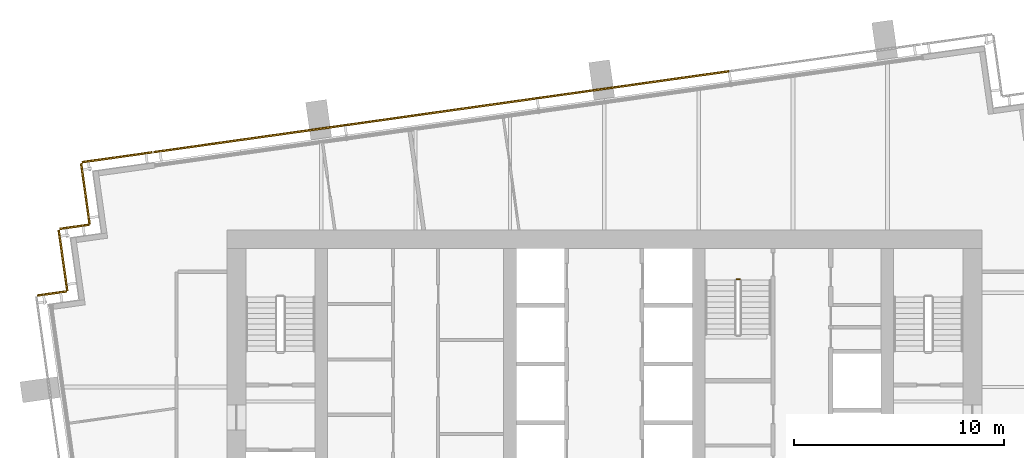
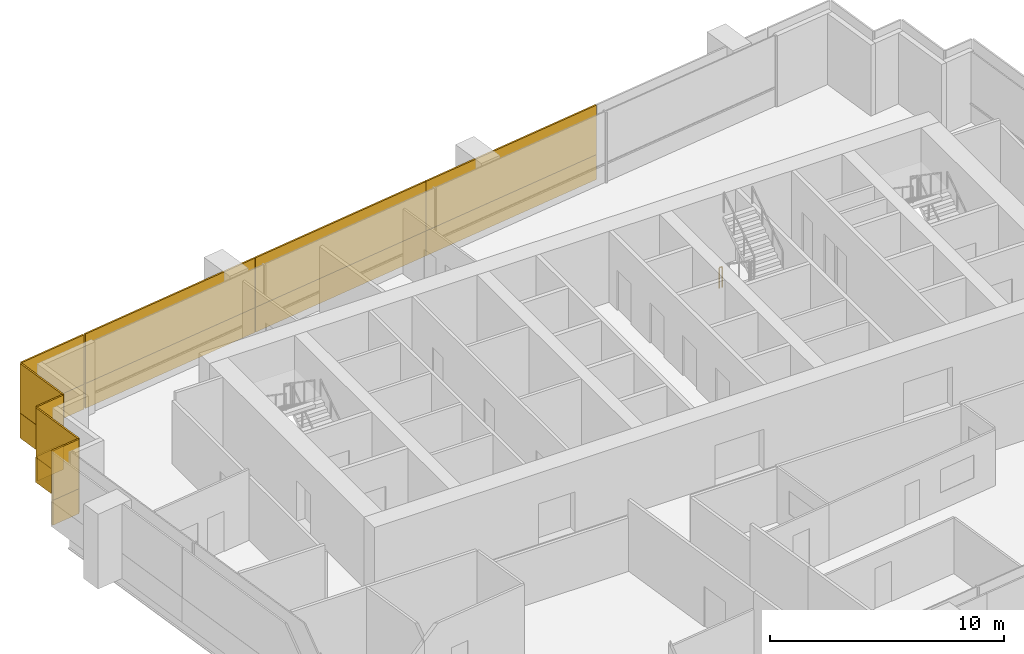
# One storey, part 14 of 15: 16 coverings, 1 railing.
"""IFC4 building model written with IfcOpenShell, lengths in metres."""

from ifc_helpers import new_model, si_unit, direction, frame, origin, origin_2d, place, context, subcontext, project, spatial, rectangle, extrude, material, layer, layer_set, type_object, element, save


model = new_model("IFC4")

# Units and contexts
model_context = context("Model", 3, precision=1e-05, world=origin(), true_north=direction((0.0, 1.0)))
body_context = subcontext(model_context, "Body", "Model", "MODEL_VIEW")
ifc_project = project(units=[si_unit("LENGTHUNIT", "METRE"), si_unit("AREAUNIT", "SQUARE_METRE"), si_unit("VOLUMEUNIT", "CUBIC_METRE"), si_unit("PLANEANGLEUNIT", "RADIAN"), si_unit("MASSUNIT", "GRAM", prefix="KILO")], contexts=[model_context])

# Site, building, storey
site_placement = place(None, origin())
site = spatial("IfcSite", under=ifc_project, at=site_placement, CompositionType="ELEMENT")
building_placement = place(site_placement, origin())
building = spatial("IfcBuilding", under=site, at=building_placement, Name="Rattan Terrace Tower", CompositionType="ELEMENT")
storey_placement = place(building_placement, frame((0.0, 0.0, 262.89990234375)))
storey = spatial("IfcBuildingStorey", under=building, at=storey_placement, Name="L60", CompositionType="ELEMENT", Elevation=262.89990234375)

# Railing
ifc_material_1 = material(Name="Powder-coated steel guard", Category="steel")
railing_type = type_object("IfcRailingType", Name="Core stair guard", PredefinedType="GUARDRAIL", material=ifc_material_1)
railing_placement = place(storey_placement, frame((6.300048828125, 5.14990234375, 0.0)))
element("IfcRailing", 1, at=railing_placement, inside=storey, type_object=railing_type, Name="L60 S3 stair guard 4", PredefinedType="GUARDRAIL", context=body_context, shape_type="SweptSolid", body=[
    extrude(rectangle(XDim=0.048095703125, YDim=0.048095703125, at=origin_2d()), frame((0.0, 0.0, 1.076171875), z_axis=(1.0, 0.0, 0.0), x_axis=(0.0, 1.0, 0.0)), (0.0, 0.0, 1.0), 0.14990234375),
    extrude(rectangle(XDim=0.0419921875, YDim=0.0419921875, at=origin_2d()), origin(), (0.0, 0.0, 1.0), 1.052001953125),
    extrude(rectangle(XDim=0.0419921875, YDim=0.0419921875, at=origin_2d()), frame((0.14990234375, 0.0, 0.0)), (0.0, 0.0, 1.0), 1.052001953125),
])

# Coverings
ifc_material_2 = material(Name="Solid terracotta", Category="masonry")
ifc_layer_1 = layer(ifc_material_2, 0.090087890625)
ifc_layer_set_1 = layer_set([ifc_layer_1], Name="Facade Terracotta Band Panel HZ")
covering_type_1 = type_object("IfcCoveringType", Name="Facade Terracotta Band Panel HZ", PredefinedType="CLADDING", material=ifc_layer_set_1)
for number, where, z_axis, x_axis, name in (
    (2, (1.372802734375, 14.41943359375, -0.18994140625), (0.0, 0.0, 1.0), (-0.990265894013, -0.139188574079, 0.0), "OUTER SKIN panel L60-15A"),
    (3, (-7.7861328125, 13.132080078125, -0.18994140625), (0.0, 0.0, 1.0), (-0.990265894013, -0.139188574079, 0.0), "OUTER SKIN panel L60-16A"),
):
    element("IfcCovering", number, at=place(storey_placement, frame(where, z_axis=z_axis, x_axis=x_axis)), inside=storey, type_object=covering_type_1, Name=name, PredefinedType="CLADDING", context=body_context, shape_type="SweptSolid", body=[
        extrude(rectangle(XDim=9.22900390625, YDim=0.090087890625, at=origin_2d()), origin(), (0.0, 0.0, 1.0), 1.300048828125),
    ])
covering_1_placement = place(storey_placement, frame((-16.932373046875, 11.846435546875, -0.18994140625), z_axis=(0.0, 0.0, 1.0), x_axis=(-0.990265894013, -0.139188574079, 0.0)))
element("IfcCovering", 4, at=covering_1_placement, inside=storey, type_object=covering_type_1, Name="OUTER SKIN panel L60-17A", PredefinedType="CLADDING", context=body_context, shape_type="SweptSolid", body=[
    extrude(rectangle(XDim=9.203125, YDim=0.090087890625, at=origin_2d()), origin(), (0.0, 0.0, 1.0), 1.300048828125),
])
covering_2_placement = place(storey_placement, frame((-23.237060546875, 10.960693359375, -0.18994140625), z_axis=(0.0, 0.0, 1.0), x_axis=(-0.990293172258, -0.138994363123, 0.0)))
element("IfcCovering", 5, at=covering_2_placement, inside=storey, type_object=covering_type_1, Name="OUTER SKIN panel L60-18A", PredefinedType="CLADDING", context=body_context, shape_type="SweptSolid", body=[
    extrude(rectangle(XDim=3.3701171875, YDim=0.090087890625, at=origin_2d()), origin(), (0.0, 0.0, 1.0), 1.300048828125),
])
covering_3_placement = place(storey_placement, frame((-24.74951171875, 9.218505859375, -0.18994140625), z_axis=(0.0, 0.0, 1.0), x_axis=(0.138994363123, -0.990293172258, 0.0)))
element("IfcCovering", 6, at=covering_3_placement, inside=storey, type_object=covering_type_1, Name="OUTER SKIN panel L60-19A", PredefinedType="CLADDING", context=body_context, shape_type="SweptSolid", body=[
    extrude(rectangle(XDim=2.92041015625, YDim=0.090087890625, at=origin_2d()), origin(), (0.0, 0.0, 1.0), 1.300048828125),
])
covering_4_placement = place(storey_placement, frame((-25.270751953125, 7.645263671875, -0.18994140625), z_axis=(0.0, 0.0, 1.0), x_axis=(-0.990240767803, -0.139367219175, 0.0)))
element("IfcCovering", 7, at=covering_4_placement, inside=storey, type_object=covering_type_1, Name="OUTER SKIN panel L60-20A", PredefinedType="CLADDING", context=body_context, shape_type="SweptSolid", body=[
    extrude(rectangle(XDim=1.419921875, YDim=0.090087890625, at=origin_2d()), origin(), (0.0, 0.0, 1.0), 1.300048828125),
])
covering_5_placement = place(storey_placement, frame((-25.817138671875, 6.038818359375, -0.18994140625), z_axis=(0.0, 0.0, 1.0), x_axis=(0.139367219175, -0.990240767803, 0.0)))
element("IfcCovering", 8, at=covering_5_placement, inside=storey, type_object=covering_type_1, Name="OUTER SKIN panel L60-21A", PredefinedType="CLADDING", context=body_context, shape_type="SweptSolid", body=[
    extrude(rectangle(XDim=2.919189453125, YDim=0.090087890625, at=origin_2d()), origin(), (0.0, 0.0, 1.0), 1.300048828125),
])
covering_6_placement = place(storey_placement, frame((-26.33837890625, 4.46630859375, -0.18994140625), z_axis=(0.0, 0.0, 1.0), x_axis=(-0.99025370695, -0.139275252184, 0.0)))
element("IfcCovering", 9, at=covering_6_placement, inside=storey, type_object=covering_type_1, Name="OUTER SKIN panel L60-22A", PredefinedType="CLADDING", context=body_context, shape_type="SweptSolid", body=[
    extrude(rectangle(XDim=1.420654296875, YDim=0.090087890625, at=origin_2d()), origin(), (0.0, 0.0, 1.0), 1.300048828125),
])
ifc_material_3 = material(Name="Perforated terracotta", Category="masonry")
ifc_layer_2 = layer(ifc_material_3, 0.080078125)
ifc_layer_set_2 = layer_set([ifc_layer_2], Name="Facade Terracotta Screen Panel HZ")
covering_type_2 = type_object("IfcCoveringType", Name="Facade Terracotta Screen Panel HZ", PredefinedType="CLADDING", material=ifc_layer_set_2)
for number, where, z_axis, x_axis, name in (
    (10, (1.37353515625, 14.41455078125, 1.110107421875), (0.0, 0.0, 1.0), (-0.990265894013, -0.139188574079, 0.0), "OUTER SKIN panel L60-15B"),
    (11, (-7.785400390625, 13.127197265625, 1.110107421875), (0.0, 0.0, 1.0), (-0.990265894013, -0.139188574079, 0.0), "OUTER SKIN panel L60-16B"),
):
    element("IfcCovering", number, at=place(storey_placement, frame(where, z_axis=z_axis, x_axis=x_axis)), inside=storey, type_object=covering_type_2, Name=name, PredefinedType="CLADDING", context=body_context, shape_type="SweptSolid", body=[
        extrude(rectangle(XDim=9.22900390625, YDim=0.080078125, at=origin_2d()), origin(), (0.0, 0.0, 1.0), 2.580078125),
    ])
covering_7_placement = place(storey_placement, frame((-16.931640625, 11.841552734375, 1.110107421875), z_axis=(0.0, 0.0, 1.0), x_axis=(-0.990265894013, -0.139188574079, 0.0)))
element("IfcCovering", 12, at=covering_7_placement, inside=storey, type_object=covering_type_2, Name="OUTER SKIN panel L60-17B", PredefinedType="CLADDING", context=body_context, shape_type="SweptSolid", body=[
    extrude(rectangle(XDim=9.203125, YDim=0.080078125, at=origin_2d()), origin(), (0.0, 0.0, 1.0), 2.580078125),
])
covering_8_placement = place(storey_placement, frame((-23.236328125, 10.955810546875, 1.110107421875), z_axis=(0.0, 0.0, 1.0), x_axis=(-0.990293172258, -0.138994363123, 0.0)))
element("IfcCovering", 13, at=covering_8_placement, inside=storey, type_object=covering_type_2, Name="OUTER SKIN panel L60-18B", PredefinedType="CLADDING", context=body_context, shape_type="SweptSolid", body=[
    extrude(rectangle(XDim=3.3701171875, YDim=0.080078125, at=origin_2d()), origin(), (0.0, 0.0, 1.0), 2.580078125),
])
covering_9_placement = place(storey_placement, frame((-24.74462890625, 9.218994140625, 1.110107421875), z_axis=(0.0, 0.0, 1.0), x_axis=(0.138994363123, -0.990293172258, 0.0)))
element("IfcCovering", 14, at=covering_9_placement, inside=storey, type_object=covering_type_2, Name="OUTER SKIN panel L60-19B", PredefinedType="CLADDING", context=body_context, shape_type="SweptSolid", body=[
    extrude(rectangle(XDim=2.92041015625, YDim=0.080078125, at=origin_2d()), origin(), (0.0, 0.0, 1.0), 2.580078125),
])
covering_10_placement = place(storey_placement, frame((-25.27001953125, 7.640380859375, 1.110107421875), z_axis=(0.0, 0.0, 1.0), x_axis=(-0.990240767803, -0.139367219175, 0.0)))
element("IfcCovering", 15, at=covering_10_placement, inside=storey, type_object=covering_type_2, Name="OUTER SKIN panel L60-20B", PredefinedType="CLADDING", context=body_context, shape_type="SweptSolid", body=[
    extrude(rectangle(XDim=1.419921875, YDim=0.080078125, at=origin_2d()), origin(), (0.0, 0.0, 1.0), 2.580078125),
])
covering_11_placement = place(storey_placement, frame((-25.812255859375, 6.03955078125, 1.110107421875), z_axis=(0.0, 0.0, 1.0), x_axis=(0.139367219175, -0.990240767803, 0.0)))
element("IfcCovering", 16, at=covering_11_placement, inside=storey, type_object=covering_type_2, Name="OUTER SKIN panel L60-21B", PredefinedType="CLADDING", context=body_context, shape_type="SweptSolid", body=[
    extrude(rectangle(XDim=2.919189453125, YDim=0.080078125, at=origin_2d()), origin(), (0.0, 0.0, 1.0), 2.580078125),
])
covering_12_placement = place(storey_placement, frame((-26.337646484375, 4.46142578125, 1.110107421875), z_axis=(0.0, 0.0, 1.0), x_axis=(-0.99025370695, -0.139275252184, 0.0)))
element("IfcCovering", 17, at=covering_12_placement, inside=storey, type_object=covering_type_2, Name="OUTER SKIN panel L60-22B", PredefinedType="CLADDING", context=body_context, shape_type="SweptSolid", body=[
    extrude(rectangle(XDim=1.420654296875, YDim=0.080078125, at=origin_2d()), origin(), (0.0, 0.0, 1.0), 2.580078125),
])

save(model, "model.ifc")
